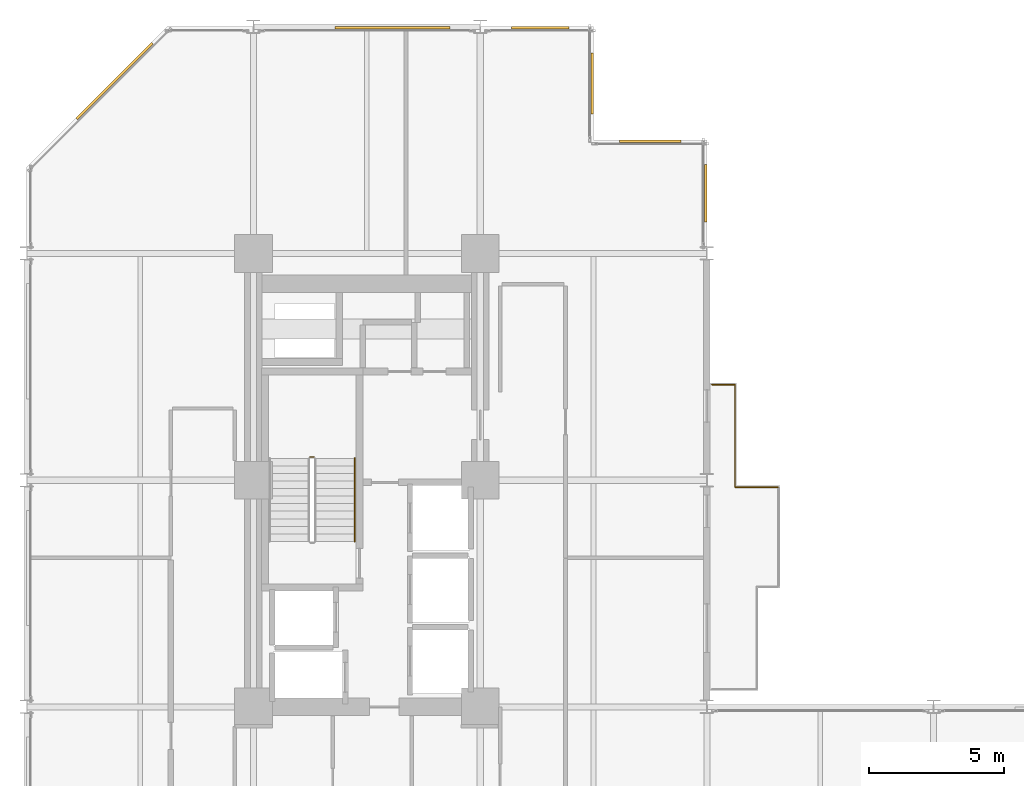
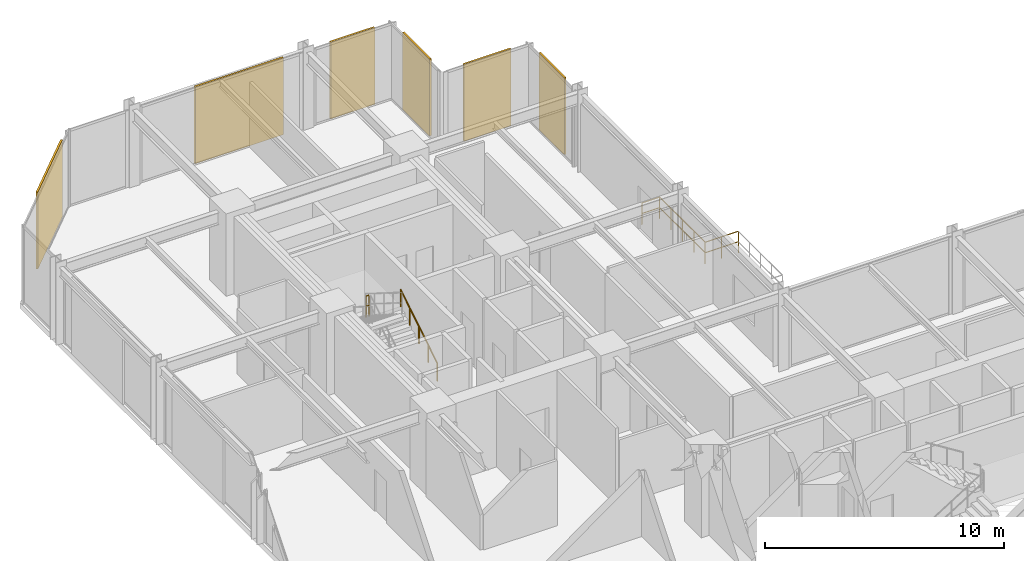
# One storey, part 24 of 24: 6 coverings, 5 railings.
"""IFC4 building model written with IfcOpenShell, lengths in metres."""

from ifc_helpers import new_model, si_unit, direction, frame, origin, origin_2d, place, context, subcontext, project, spatial, rectangle, circle, extrude, material, layer, layer_set, type_object, element, save


model = new_model("IFC4")

# Units and contexts
model_context = context("Model", 3, precision=1e-05, world=origin(), true_north=direction((0.0, 1.0)))
body_context = subcontext(model_context, "Body", "Model", "MODEL_VIEW")
ifc_project = project(units=[si_unit("LENGTHUNIT", "METRE"), si_unit("AREAUNIT", "SQUARE_METRE"), si_unit("VOLUMEUNIT", "CUBIC_METRE"), si_unit("PLANEANGLEUNIT", "RADIAN"), si_unit("MASSUNIT", "GRAM", prefix="KILO")], contexts=[model_context])

# Site, building, storey
site_placement = place(None, origin())
site = spatial("IfcSite", under=ifc_project, at=site_placement, CompositionType="ELEMENT")
building_placement = place(site_placement, origin())
building = spatial("IfcBuilding", under=site, at=building_placement, Name="Nerrivon Quay Data Exchange", CompositionType="ELEMENT")
storey_placement = place(building_placement, frame((0.0, 0.0, 50.0)))
storey = spatial("IfcBuildingStorey", under=building, at=storey_placement, Name="L11", CompositionType="ELEMENT", Elevation=50.0)

# Coverings
ifc_material_1 = material(Name="Architectural terracotta ceramic", Category="masonry")
ifc_layer = layer(ifc_material_1, 0.090087890625)
ifc_layer_set = layer_set([ifc_layer], Name="Architectural terracotta ceramic")
covering_type = type_object("IfcCoveringType", Name="COV-SCR-TERR", PredefinedType="CLADDING", material=ifc_layer_set)
covering_1_placement = place(storey_placement, frame((3.255859375, 48.39208984375, 0.0), z_axis=(0.0, 0.0, 1.0), x_axis=(0.707106781187, 0.707106781187, 0.0)))
element("IfcCovering", 1, at=covering_1_placement, inside=storey, type_object=covering_type, Name="L11 Perforated Terracotta SOLAR SCREEN Cassette", PredefinedType="CLADDING", context=body_context, shape_type="SweptSolid", body=[
    extrude(rectangle(XDim=3.970947265625, YDim=0.090087890625, at=origin_2d()), origin(), (0.0, 0.0, 1.0), 3.925048828125),
])
covering_2_placement = place(storey_placement, frame((13.548095703125, 50.35498046875, 0.0), z_axis=(0.0, 0.0, 1.0), x_axis=(1.0, 0.0, 0.0)))
element("IfcCovering", 2, at=covering_2_placement, inside=storey, type_object=covering_type, Name="L11 Perforated Terracotta SOLAR SCREEN Cassette", PredefinedType="CLADDING", context=body_context, shape_type="SweptSolid", body=[
    extrude(rectangle(XDim=4.26611328125, YDim=0.090087890625, at=origin_2d()), origin(), (0.0, 0.0, 1.0), 3.925048828125),
])
covering_3_placement = place(storey_placement, frame((19.02490234375, 50.35498046875, 0.0), z_axis=(0.0, 0.0, 1.0), x_axis=(1.0, 0.0, 0.0)))
element("IfcCovering", 3, at=covering_3_placement, inside=storey, type_object=covering_type, Name="L11 Perforated Terracotta SOLAR SCREEN Cassette", PredefinedType="CLADDING", context=body_context, shape_type="SweptSolid", body=[
    extrude(rectangle(XDim=2.133056640625, YDim=0.090087890625, at=origin_2d()), origin(), (0.0, 0.0, 1.0), 3.925048828125),
])
for number, where, z_axis, x_axis, name in (
    (4, (20.955078125, 48.300048828125, 0.0), (0.0, 0.0, 1.0), (0.0, -1.0, 0.0), "L11 Perforated Terracotta SOLAR SCREEN Cassette"),
    (5, (23.10009765625, 46.155029296875, 0.0), (0.0, 0.0, 1.0), (1.0, 0.0, 0.0), "L11 Perforated Terracotta SOLAR SCREEN Cassette"),
):
    element("IfcCovering", number, at=place(storey_placement, frame(where, z_axis=z_axis, x_axis=x_axis)), inside=storey, type_object=covering_type, Name=name, PredefinedType="CLADDING", context=body_context, shape_type="SweptSolid", body=[
        extrude(rectangle(XDim=2.26806640625, YDim=0.090087890625, at=origin_2d()), origin(), (0.0, 0.0, 1.0), 3.925048828125),
    ])
covering_4_placement = place(storey_placement, frame((25.155029296875, 44.22509765625, 0.0), z_axis=(0.0, 0.0, 1.0), x_axis=(0.0, -1.0, 0.0)))
element("IfcCovering", 6, at=covering_4_placement, inside=storey, type_object=covering_type, Name="L11 Perforated Terracotta SOLAR SCREEN Cassette", PredefinedType="CLADDING", context=body_context, shape_type="SweptSolid", body=[
    extrude(rectangle(XDim=2.133056640625, YDim=0.090087890625, at=origin_2d()), origin(), (0.0, 0.0, 1.0), 3.925048828125),
])

# Railings
ifc_material_2 = material(Name="Steel Grade C350L0 (350 MPa)", Category="steel")
railing_type_1 = type_object("IfcRailingType", Name="RAIL-GUARD-GR2", PredefinedType="BALUSTRADE", material=ifc_material_2)
railing_1_placement = place(storey_placement, frame((25.3798828125, 37.139892578125, 0.0)))
element("IfcRailing", 7, at=railing_1_placement, inside=storey, type_object=railing_type_1, Name="L11 Verandah Balcony Guard 1.3 1", PredefinedType="BALUSTRADE", context=body_context, shape_type="SweptSolid", body=[
    extrude(circle(Radius=0.02392578125, at=origin_2d()), frame((0.0, 0.0, 1.09619140625), z_axis=(1.0, 0.0, 0.0), x_axis=(0.0, 1.0, 0.0)), (0.0, 0.0, 1.0), 0.860107421875),
    extrude(circle(Radius=0.02392578125, at=origin_2d()), frame((0.0, 0.0, 0.56005859375), z_axis=(1.0, 0.0, 0.0), x_axis=(0.0, 1.0, 0.0)), (0.0, 0.0, 1.0), 0.860107421875),
    extrude(circle(Radius=0.02099609375, at=origin_2d()), origin(), (0.0, 0.0, 1.0), 1.072021484375),
    extrude(circle(Radius=0.02099609375, at=origin_2d()), frame((0.860107421875, 0.0, 0.0)), (0.0, 0.0, 1.0), 1.072021484375),
])
railing_2_placement = place(storey_placement, frame((26.239990234375, 37.139892578125, 0.0)))
element("IfcRailing", 8, at=railing_2_placement, inside=storey, type_object=railing_type_1, Name="L11 Verandah Balcony Guard 1.4 1", PredefinedType="BALUSTRADE", context=body_context, shape_type="SweptSolid", body=[
    extrude(circle(Radius=0.02392578125, at=origin_2d()), frame((0.0, 0.0, 1.09619140625), z_axis=(0.0, -1.0, 0.0), x_axis=(1.0, 0.0, 0.0)), (0.0, 0.0, 1.0), 3.7998046875),
    extrude(circle(Radius=0.02392578125, at=origin_2d()), frame((0.0, 0.0, 0.56005859375), z_axis=(0.0, -1.0, 0.0), x_axis=(1.0, 0.0, 0.0)), (0.0, 0.0, 1.0), 3.7998046875),
    extrude(circle(Radius=0.02099609375, at=origin_2d()), origin(), (0.0, 0.0, 1.0), 1.072021484375),
    extrude(circle(Radius=0.02099609375, at=origin_2d()), frame((0.0, -0.949951171875, 0.0)), (0.0, 0.0, 1.0), 1.072021484375),
    extrude(circle(Radius=0.02099609375, at=origin_2d()), frame((0.0, -1.89990234375, 0.0)), (0.0, 0.0, 1.0), 1.072021484375),
    extrude(circle(Radius=0.02099609375, at=origin_2d()), frame((0.0, -2.849853515625, 0.0)), (0.0, 0.0, 1.0), 1.072021484375),
    extrude(circle(Radius=0.02099609375, at=origin_2d()), frame((0.0, -3.7998046875, 0.0)), (0.0, 0.0, 1.0), 1.072021484375),
])
railing_3_placement = place(storey_placement, frame((26.239990234375, 33.340087890625, 0.0)))
element("IfcRailing", 9, at=railing_3_placement, inside=storey, type_object=railing_type_1, Name="L11 Verandah Balcony Guard 1.5 1", PredefinedType="BALUSTRADE", context=body_context, shape_type="SweptSolid", body=[
    extrude(circle(Radius=0.02392578125, at=origin_2d()), frame((0.0, 0.0, 1.09619140625), z_axis=(1.0, 0.0, 0.0), x_axis=(0.0, 1.0, 0.0)), (0.0, 0.0, 1.0), 1.60009765625),
    extrude(circle(Radius=0.02392578125, at=origin_2d()), frame((0.0, 0.0, 0.56005859375), z_axis=(1.0, 0.0, 0.0), x_axis=(0.0, 1.0, 0.0)), (0.0, 0.0, 1.0), 1.60009765625),
    extrude(circle(Radius=0.02099609375, at=origin_2d()), origin(), (0.0, 0.0, 1.0), 1.072021484375),
    extrude(circle(Radius=0.02099609375, at=origin_2d()), frame((0.800048828125, 0.0, 0.0)), (0.0, 0.0, 1.0), 1.072021484375),
    extrude(circle(Radius=0.02099609375, at=origin_2d()), frame((1.60009765625, 0.0, 0.0)), (0.0, 0.0, 1.0), 1.072021484375),
])
railing_type_2 = type_object("IfcRailingType", Name="RAIL-HAND-HR1", PredefinedType="HANDRAIL", material=ifc_material_2)
railing_4_placement = place(storey_placement, frame((12.14990234375, 31.330078125, 0.175048828125)))
element("IfcRailing", 10, at=railing_4_placement, inside=storey, type_object=railing_type_2, Name="L11 ST01 stair handrail 1", PredefinedType="HANDRAIL", context=body_context, shape_type="SweptSolid", body=[
    extrude(circle(Radius=0.02392578125, at=origin_2d()), frame((0.0, 0.0, 0.8759765625), z_axis=(0.0, 0.847979421464, 0.530029150871), x_axis=(-1.0, 0.0, 0.0)), (0.0, 0.0, 1.0), 3.632080078125),
    extrude(circle(Radius=0.02099609375, at=origin_2d()), origin(), (0.0, 0.0, 1.0), 0.851806640625),
    extrude(circle(Radius=0.02099609375, at=origin_2d()), frame((0.0, 0.77001953125, 0.481201171875)), (0.0, 0.0, 1.0), 0.851806640625),
    extrude(circle(Radius=0.02099609375, at=origin_2d()), frame((0.0, 1.5400390625, 0.96240234375)), (0.0, 0.0, 1.0), 0.851806640625),
    extrude(circle(Radius=0.02099609375, at=origin_2d()), frame((0.0, 2.309814453125, 1.44384765625)), (0.0, 0.0, 1.0), 0.851806640625),
    extrude(circle(Radius=0.02099609375, at=origin_2d()), frame((0.0, 3.079833984375, 1.925048828125)), (0.0, 0.0, 1.0), 0.851806640625),
])
railing_type_3 = type_object("IfcRailingType", Name="RAIL-STAIR-GR1", PredefinedType="BALUSTRADE", material=ifc_material_2)
railing_5_placement = place(storey_placement, frame((10.64990234375, 34.4599609375, 2.10009765625)))
element("IfcRailing", 11, at=railing_5_placement, inside=storey, type_object=railing_type_3, Name="L11 ST01 stair guard 2", PredefinedType="BALUSTRADE", context=body_context, shape_type="SweptSolid", body=[
    extrude(circle(Radius=0.02392578125, at=origin_2d()), frame((0.0, 0.0, 1.076171875), z_axis=(-1.0, 0.0, 0.0), x_axis=(0.0, -1.0, 0.0)), (0.0, 0.0, 1.0), 0.14990234375),
    extrude(circle(Radius=0.02392578125, at=origin_2d()), frame((0.0, 0.0, 0.550048828125), z_axis=(-1.0, 0.0, 0.0), x_axis=(0.0, -1.0, 0.0)), (0.0, 0.0, 1.0), 0.14990234375),
    extrude(circle(Radius=0.02099609375, at=origin_2d()), origin(), (0.0, 0.0, 1.0), 1.052001953125),
    extrude(circle(Radius=0.02099609375, at=origin_2d()), frame((-0.14990234375, 0.0, 0.0)), (0.0, 0.0, 1.0), 1.052001953125),
])

save(model, "model.ifc")
